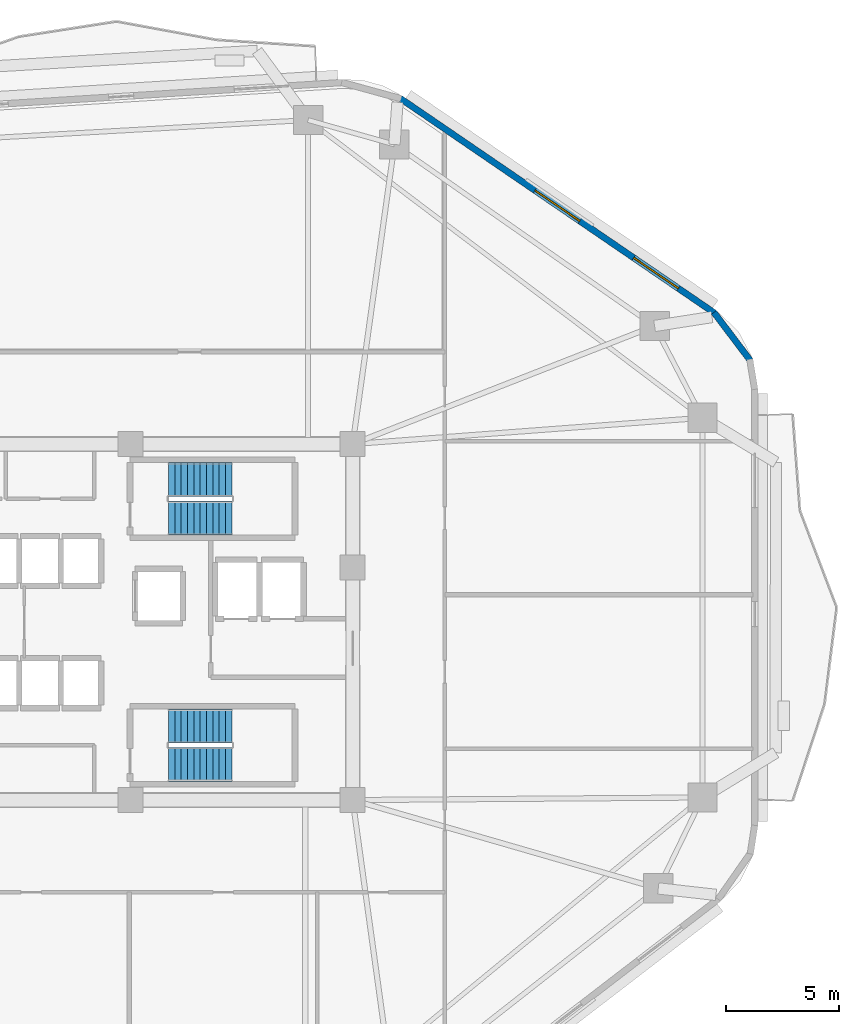
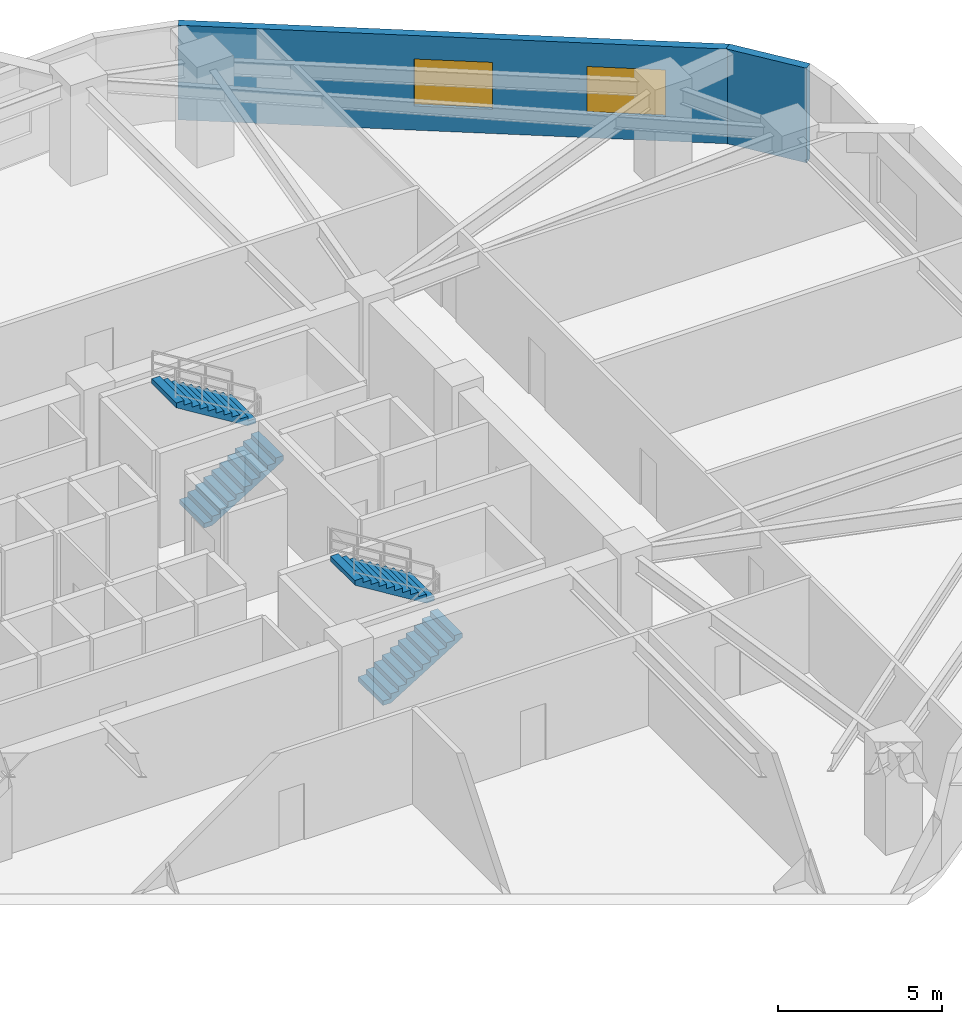
# One storey, part 6 of 9: 4 stair flights, 2 walls, 2 windows, 2 openings, 2 elements without a shape of their own.
"""IFC4 building model written with IfcOpenShell, lengths in metres."""

from ifc_helpers import new_model, si_unit, direction, frame, frame_2d, origin, place, context, subcontext, project, spatial, polyline, rectangle, outline, extrude, material, layer, layer_set, type_object, element, fill, aggregate, save


model = new_model("IFC4")

# Units and contexts
model_context = context("Model", 3, precision=1e-05, world=origin(), true_north=direction((0.0, 1.0)))
body_context = subcontext(model_context, "Body", "Model", "MODEL_VIEW")
ifc_project = project(units=[si_unit("LENGTHUNIT", "METRE"), si_unit("AREAUNIT", "SQUARE_METRE"), si_unit("VOLUMEUNIT", "CUBIC_METRE"), si_unit("PLANEANGLEUNIT", "RADIAN"), si_unit("MASSUNIT", "GRAM", prefix="KILO")], contexts=[model_context])

# Site, building, storey
site_placement = place(None, origin())
site = spatial("IfcSite", under=ifc_project, at=site_placement, CompositionType="ELEMENT")
building_placement = place(site_placement, origin())
building = spatial("IfcBuilding", under=site, at=building_placement, Name="Zulverin Broadcast Headquarters", CompositionType="ELEMENT")
storey_placement = place(building_placement, frame((0.0, 0.0, 59.199951171875)))
storey = spatial("IfcBuildingStorey", under=building, at=storey_placement, Name="L14", CompositionType="ELEMENT", Elevation=59.199951171875)

# Wall, openings, windows
ifc_material_1 = material(Name="Insulated pale-metal clad concrete spandrel C40/50", Category="concrete")
ifc_layer = layer(ifc_material_1, 0.280029296875, Name="Insulated pale-metal clad concrete spandrel C40/50", Category="concrete")
ifc_layer_set = layer_set([ifc_layer], Name="Insulated pale-metal clad concrete spandrel C40/50")
wall_type = type_object("IfcWallType", Name="WL-EXT-280", PredefinedType="STANDARD", material=ifc_layer_set)
wall_1_placement = place(storey_placement, frame((64.289794921875, 38.8671875, 0.0), z_axis=(0.0, 0.0, 1.0), x_axis=(-0.825755550159, 0.564028165416, 0.0)))
wall_1 = element("IfcWall", 1, at=wall_1_placement, inside=storey, type_object=wall_type, Name="L14 Pale-Metal Clad Spandrel Wall 4", PredefinedType="STANDARD", context=body_context, shape_type="SweptSolid", body=[
    extrude(rectangle(XDim=16.848388671875, YDim=0.280029296875, at=frame_2d((8.42431640625, 0.0))), origin(), (0.0, 0.0, 1.0), 3.525146484375),
])
opening_1_placement = place(wall_1_placement, frame((1.94140625, 0.0, 0.89990234375)))
opening_1 = element("IfcOpeningElement", 2, at=opening_1_placement, cuts=wall_1, Name="Opening W-L14-E41", PredefinedType="OPENING", context=body_context, shape_type="SweptSolid", body=[
    extrude(rectangle(XDim=2.39990234375, YDim=1.75, at=frame_2d((1.199951171875, 0.875))), frame((0.0, 0.14990234375, 0.0), z_axis=(0.0, -1.0, 0.0), x_axis=(1.0, 0.0, 0.0)), (0.0, 0.0, 1.0), 0.300048828125),
])
opening_2_placement = place(wall_1_placement, frame((7.22412109375, 0.0, 0.89990234375)))
opening_2 = element("IfcOpeningElement", 3, at=opening_2_placement, cuts=wall_1, Name="Opening W-L14-E42", PredefinedType="OPENING", context=body_context, shape_type="SweptSolid", body=[
    extrude(rectangle(XDim=2.39990234375, YDim=1.75, at=frame_2d((1.199951171875, 0.875))), frame((0.0, 0.14990234375, 0.0), z_axis=(0.0, -1.0, 0.0), x_axis=(1.0, 0.0, 0.0)), (0.0, 0.0, 1.0), 0.300048828125),
])
ifc_material_2 = material(Name="Pale anodized aluminium frame with solar-control low-E double glazing", Category="aluminium")
window_type = type_object("IfcWindowType", Name="WIN-RIB-2400", PartitioningType="SINGLE_PANEL", PredefinedType="WINDOW", material=ifc_material_2)
window_1_placement = place(opening_1_placement, origin())
window_1 = element("IfcWindow", 4, at=window_1_placement, inside=storey, type_object=window_type, Name="L14 Ribbon Glazing Window 4 1", OverallHeight=1.75, OverallWidth=2.39990234375, PartitioningType="SINGLE_PANEL", PredefinedType="WINDOW", context=body_context, shape_type="SweptSolid", body=[
    extrude(rectangle(XDim=2.39990234375, YDim=1.75, at=frame_2d((1.199951171875, 0.875))), frame((0.0, 0.030029296875, 0.0), z_axis=(0.0, -1.0, 0.0), x_axis=(1.0, 0.0, 0.0)), (0.0, 0.0, 1.0), 0.06005859375),
])
fill(opening_1, window_1)
window_2_placement = place(opening_2_placement, origin())
window_2 = element("IfcWindow", 5, at=window_2_placement, inside=storey, type_object=window_type, Name="L14 Ribbon Glazing Window 4 2", OverallHeight=1.75, OverallWidth=2.39990234375, PartitioningType="SINGLE_PANEL", PredefinedType="WINDOW", context=body_context, shape_type="SweptSolid", body=[
    extrude(rectangle(XDim=2.39990234375, YDim=1.75, at=frame_2d((1.199951171875, 0.875))), frame((0.0, 0.030029296875, 0.0), z_axis=(0.0, -1.0, 0.0), x_axis=(1.0, 0.0, 0.0)), (0.0, 0.0, 1.0), 0.06005859375),
])
fill(opening_2, window_2)

# Wall
wall_2_placement = place(storey_placement, frame((65.8701171875, 36.7666015625, 0.0), z_axis=(0.0, 0.0, 1.0), x_axis=(-0.603370463754, 0.797461023166, 0.0)))
element("IfcWall", 6, at=wall_2_placement, inside=storey, type_object=wall_type, Name="L14 Wind-Shaped Corner Spandrel Wall 3-2", PredefinedType="STANDARD", context=body_context, shape_type="SweptSolid", body=[
    extrude(rectangle(XDim=2.6728515625, YDim=0.280029296875, at=frame_2d((1.33642578125, 0.0))), origin(), (0.0, 0.0, 1.0), 3.525146484375),
])

# Stair, stair flights
ifc_material_3 = material(Name="Concrete C40/50", Category="concrete")
stair_type = type_object("IfcStairType", Name="ST-CORE-1500", PredefinedType="HALF_TURN_STAIR", material=ifc_material_3)
stair_1_placement = place(storey_placement, origin())
stair_1 = element("IfcStair", 7, at=stair_1_placement, inside=storey, type_object=stair_type, Name="L14 Core Exit Stair ST-1", PredefinedType="HALF_TURN_STAIR")
stair_flight_type = type_object("IfcStairFlightType", Name="SF-CORE-1500", PredefinedType="STRAIGHT", material=ifc_material_3)
stair_flight_1_placement = place(storey_placement, frame((40.1298828125, 29.800048828125, 0.0), z_axis=(0.0, 0.0, 1.0), x_axis=(1.0, 0.0, 0.0)))
stair_flight_1 = element("IfcStairFlight", 8, at=stair_flight_1_placement, type_object=stair_flight_type, Name="ST-1 flight 1", NumberOfRisers=11, NumberOfTreads=10, PredefinedType="STRAIGHT", RiserHeight=0.172727273, TreadLength=0.28, context=body_context, shape_type="SweptSolid", body=[
    extrude(outline(polyline([(0.0, 0.0), (0.0, 0.172607421875), (0.280029296875, 0.172607421875), (0.280029296875, 0.345458984375), (0.56005859375, 0.345458984375), (0.56005859375, 0.51806640625), (0.840087890625, 0.51806640625), (0.840087890625, 0.69091796875), (1.1201171875, 0.69091796875), (1.1201171875, 0.863525390625), (1.39990234375, 0.863525390625), (1.39990234375, 1.036376953125), (1.679931640625, 1.036376953125), (1.679931640625, 1.208984375), (1.9599609375, 1.208984375), (1.9599609375, 1.3818359375), (2.239990234375, 1.3818359375), (2.239990234375, 1.554443359375), (2.52001953125, 1.554443359375), (2.52001953125, 1.727294921875), (2.800048828125, 1.727294921875), (2.800048828125, 1.89990234375), (2.800048828125, 1.551025390625), (0.285400390625, 0.0), (0.0, 0.0)])), frame((0.0, 0.75, 0.0), z_axis=(0.0, -1.0, 0.0), x_axis=(1.0, 0.0, 0.0)), (0.0, 0.0, 1.0), 1.5),
])
stair_flight_2_placement = place(storey_placement, frame((42.929931640625, 31.5, 1.900146484375), z_axis=(0.0, 0.0, 1.0), x_axis=(-1.0, 0.0, 0.0)))
stair_flight_2 = element("IfcStairFlight", 9, at=stair_flight_2_placement, type_object=stair_flight_type, Name="ST-1 flight 2", NumberOfRisers=11, NumberOfTreads=10, PredefinedType="STRAIGHT", RiserHeight=0.172727273, TreadLength=0.28, context=body_context, shape_type="SweptSolid", body=[
    extrude(outline(polyline([(0.0, 0.0), (0.0, 0.172607421875), (0.280029296875, 0.172607421875), (0.280029296875, 0.345458984375), (0.56005859375, 0.345458984375), (0.56005859375, 0.51806640625), (0.840087890625, 0.51806640625), (0.840087890625, 0.69091796875), (1.1201171875, 0.69091796875), (1.1201171875, 0.863525390625), (1.39990234375, 0.863525390625), (1.39990234375, 1.036376953125), (1.679931640625, 1.036376953125), (1.679931640625, 1.208984375), (1.9599609375, 1.208984375), (1.9599609375, 1.3818359375), (2.239990234375, 1.3818359375), (2.239990234375, 1.554443359375), (2.52001953125, 1.554443359375), (2.52001953125, 1.727294921875), (2.800048828125, 1.727294921875), (2.800048828125, 1.89990234375), (2.800048828125, 1.551025390625), (0.285400390625, 0.0), (0.0, 0.0)])), frame((0.0, 0.75, 0.0), z_axis=(0.0, -1.0, 0.0), x_axis=(1.0, 0.0, 0.0)), (0.0, 0.0, 1.0), 1.5),
])
aggregate(stair_1, [stair_flight_1, stair_flight_2])

stair_2_placement = place(storey_placement, origin())
stair_2 = element("IfcStair", 10, at=stair_2_placement, inside=storey, type_object=stair_type, Name="L14 Core Exit Stair ST-2", PredefinedType="HALF_TURN_STAIR")
stair_flight_3_placement = place(storey_placement, frame((40.1298828125, 18.89990234375, 0.0), z_axis=(0.0, 0.0, 1.0), x_axis=(1.0, 0.0, 0.0)))
stair_flight_3 = element("IfcStairFlight", 11, at=stair_flight_3_placement, type_object=stair_flight_type, Name="ST-2 flight 1", NumberOfRisers=11, NumberOfTreads=10, PredefinedType="STRAIGHT", RiserHeight=0.172727273, TreadLength=0.28, context=body_context, shape_type="SweptSolid", body=[
    extrude(outline(polyline([(0.0, 0.0), (0.0, 0.172607421875), (0.280029296875, 0.172607421875), (0.280029296875, 0.345458984375), (0.56005859375, 0.345458984375), (0.56005859375, 0.51806640625), (0.840087890625, 0.51806640625), (0.840087890625, 0.69091796875), (1.1201171875, 0.69091796875), (1.1201171875, 0.863525390625), (1.39990234375, 0.863525390625), (1.39990234375, 1.036376953125), (1.679931640625, 1.036376953125), (1.679931640625, 1.208984375), (1.9599609375, 1.208984375), (1.9599609375, 1.3818359375), (2.239990234375, 1.3818359375), (2.239990234375, 1.554443359375), (2.52001953125, 1.554443359375), (2.52001953125, 1.727294921875), (2.800048828125, 1.727294921875), (2.800048828125, 1.89990234375), (2.800048828125, 1.551025390625), (0.285400390625, 0.0), (0.0, 0.0)])), frame((0.0, 0.75, 0.0), z_axis=(0.0, -1.0, 0.0), x_axis=(1.0, 0.0, 0.0)), (0.0, 0.0, 1.0), 1.5),
])
stair_flight_4_placement = place(storey_placement, frame((42.929931640625, 20.60009765625, 1.900146484375), z_axis=(0.0, 0.0, 1.0), x_axis=(-1.0, 0.0, 0.0)))
stair_flight_4 = element("IfcStairFlight", 12, at=stair_flight_4_placement, type_object=stair_flight_type, Name="ST-2 flight 2", NumberOfRisers=11, NumberOfTreads=10, PredefinedType="STRAIGHT", RiserHeight=0.172727273, TreadLength=0.28, context=body_context, shape_type="SweptSolid", body=[
    extrude(outline(polyline([(0.0, 0.0), (0.0, 0.172607421875), (0.280029296875, 0.172607421875), (0.280029296875, 0.345458984375), (0.56005859375, 0.345458984375), (0.56005859375, 0.51806640625), (0.840087890625, 0.51806640625), (0.840087890625, 0.69091796875), (1.1201171875, 0.69091796875), (1.1201171875, 0.863525390625), (1.39990234375, 0.863525390625), (1.39990234375, 1.036376953125), (1.679931640625, 1.036376953125), (1.679931640625, 1.208984375), (1.9599609375, 1.208984375), (1.9599609375, 1.3818359375), (2.239990234375, 1.3818359375), (2.239990234375, 1.554443359375), (2.52001953125, 1.554443359375), (2.52001953125, 1.727294921875), (2.800048828125, 1.727294921875), (2.800048828125, 1.89990234375), (2.800048828125, 1.551025390625), (0.285400390625, 0.0), (0.0, 0.0)])), frame((0.0, 0.75, 0.0), z_axis=(0.0, -1.0, 0.0), x_axis=(1.0, 0.0, 0.0)), (0.0, 0.0, 1.0), 1.5),
])
aggregate(stair_2, [stair_flight_3, stair_flight_4])

save(model, "model.ifc")
